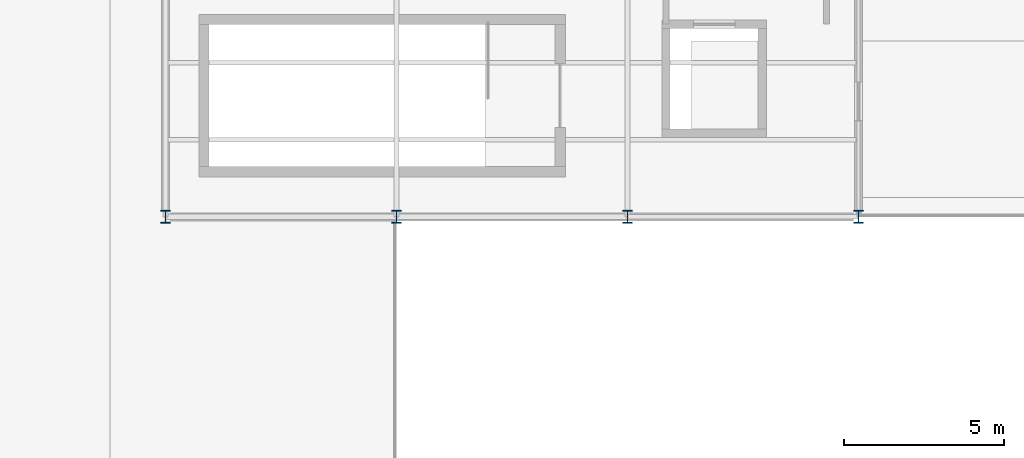
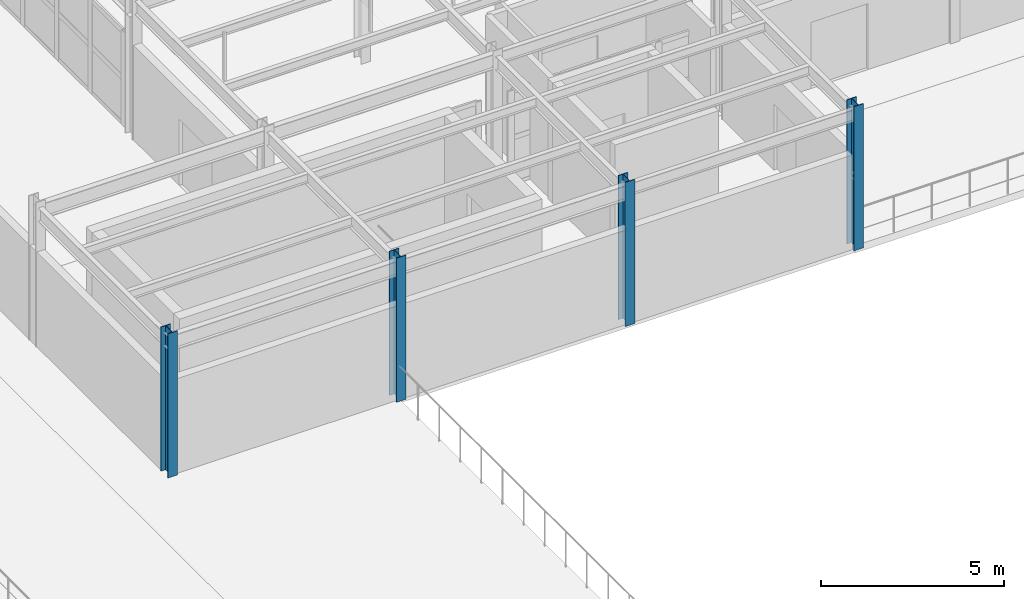
# One storey, part 5 of 41: 4 columns.
"""IFC4 building model written with IfcOpenShell, lengths in metres."""

from ifc_helpers import new_model, si_unit, direction, frame, origin, origin_2d, place, context, subcontext, project, spatial, i_section, extrude, material, material_profile, profile_set, type_object, element, save


model = new_model("IFC4")

# Units and contexts
model_context = context("Model", 3, precision=1e-05, world=origin(), true_north=direction((0.0, 1.0)))
body_context = subcontext(model_context, "Body", "Model", "MODEL_VIEW")
ifc_project = project(units=[si_unit("LENGTHUNIT", "METRE"), si_unit("AREAUNIT", "SQUARE_METRE"), si_unit("VOLUMEUNIT", "CUBIC_METRE"), si_unit("PLANEANGLEUNIT", "RADIAN"), si_unit("MASSUNIT", "GRAM", prefix="KILO")], contexts=[model_context])

# Site, building, storey
site_placement = place(None, origin())
site = spatial("IfcSite", under=ifc_project, at=site_placement, CompositionType="ELEMENT")
building_placement = place(site_placement, origin())
building = spatial("IfcBuilding", under=site, at=building_placement, Name="Solvadek Multi-Sports Hall", CompositionType="ELEMENT")
storey_placement = place(building_placement, frame((0.0, 0.0, 14.39990234375)))
storey = spatial("IfcBuildingStorey", under=building, at=storey_placement, Name="L03", CompositionType="ELEMENT", Elevation=14.39990234375)

# Columns
ifc_material = material(Name="Steel E350 (350 MPa)", Category="steel")
ifc_material_profile = material_profile(ifc_material, i_section(OverallWidth=0.300048828125, OverallDepth=0.39990234375, WebThickness=0.013427734375, FlangeThickness=0.02392578125, at=origin_2d()), Name="WPB 400")
ifc_profile_set = profile_set([ifc_material_profile], Name="Steel E350 (350 MPa)")
column_type = type_object("IfcColumnType", Name="STR-COL-WPB400", PredefinedType="COLUMN", material=ifc_profile_set)
for number, where, z_axis, x_axis, name in (
    (1, (7.199951171875, 78.0, 0.0), (0.0, 0.0, 1.0), (1.0, 0.0, 0.0), "L03 Column C-07 #22"),
    (2, (14.39990234375, 78.0, 0.0), (0.0, 0.0, 1.0), (1.0, 0.0, 0.0), "L03 Column C-07 #35"),
    (3, (21.60009765625, 78.0, 0.0), (0.0, 0.0, 1.0), (1.0, 0.0, 0.0), "L03 Column C-07 #48"),
    (4, (28.800048828125, 78.0, 0.0), (0.0, 0.0, 1.0), (1.0, 0.0, 0.0), "L03 Column C-07 #61"),
):
    element("IfcColumn", number, at=place(storey_placement, frame(where, z_axis=z_axis, x_axis=x_axis)), inside=storey, type_object=column_type, Name=name, PredefinedType="COLUMN", context=body_context, shape_type="SweptSolid", body=[
        extrude(i_section(OverallWidth=0.300048828125, OverallDepth=0.39990234375, WebThickness=0.013427734375, FlangeThickness=0.02392578125, at=origin_2d()), origin(), (0.0, 0.0, 1.0), 4.800048828125),
    ])

save(model, "model.ifc")
